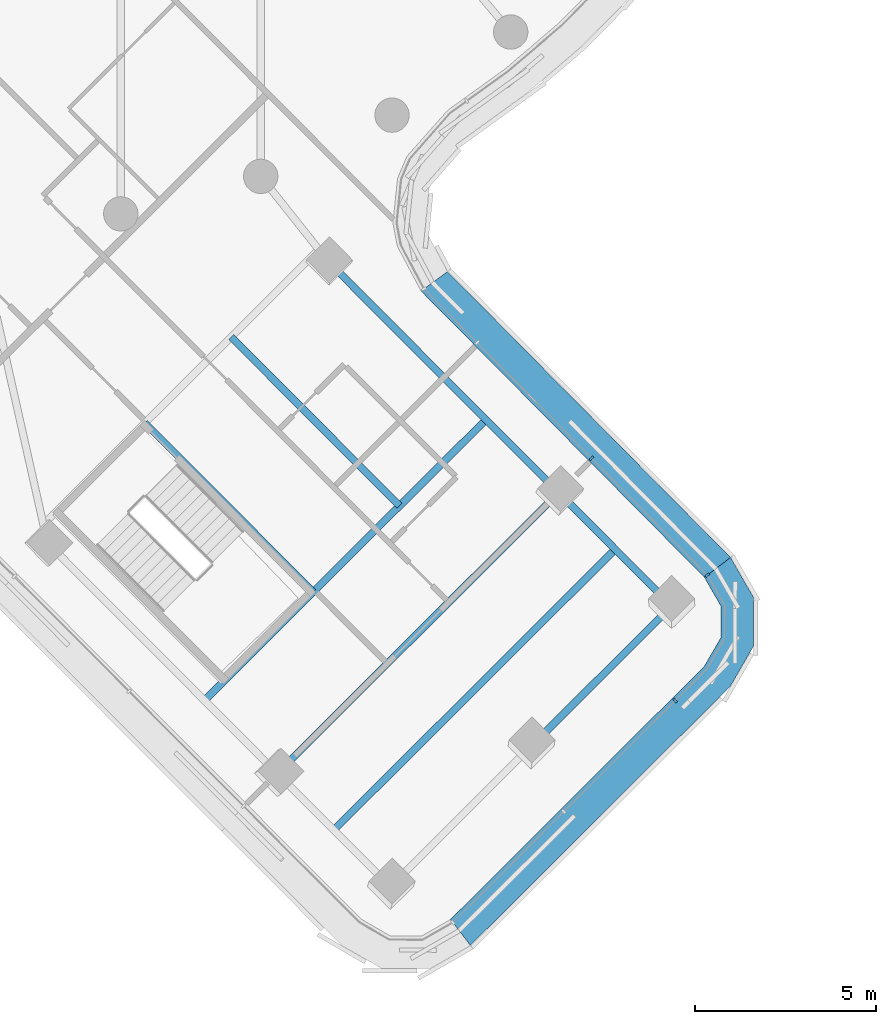
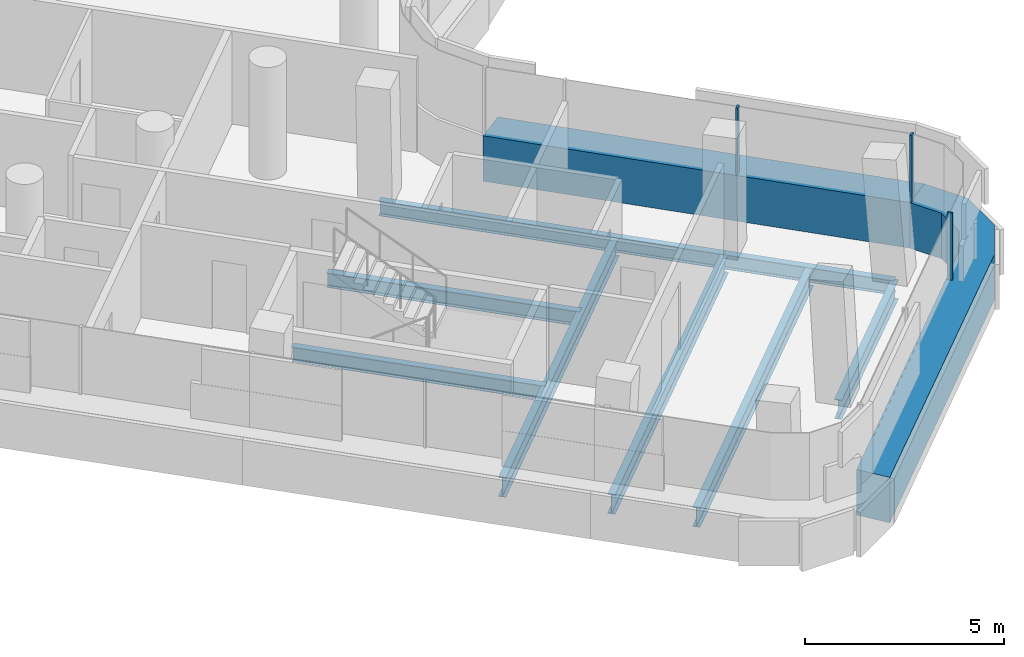
# One storey, part 5 of 31: 8 beams, 5 members, 2 elements without a shape of their own.
"""IFC4 building model written with IfcOpenShell, lengths in metres."""

import ifcopenshell
import ifcopenshell.guid

model = None  # the IFC model being written
_history = None  # IfcOwnerHistory: only IFC2X3 demands one
_inside = {}  # id of a spatial element -> (the spatial element, [elements in it])
_under = {}  # id of a project, library or spatial element -> (it, [spatial elements below it])
_declared = {}  # id of a project -> (the project, [libraries it declares])
_typed = {}  # id of a type object -> (the type object, [elements of that type])
_made_of = {}  # id of a material, layer set ... -> (it, [elements and type objects made of it])


def new_model(schema):
    """Start an empty IFC model of exactly this schema.

    Asked for "IFC4X3", IfcOpenShell would pick the latest addendum, in which some entities
    have other attributes; the version numbers below select the first issue.
    IFC2X3 requires an IfcOwnerHistory on every rooted entity: one is made here for all.
    """
    global model, _history
    if schema == "IFC4X3":
        model = ifcopenshell.file(schema_version=(4, 3, 0, 0))
    else:
        model = ifcopenshell.file(schema=schema)
    _inside.clear()
    _under.clear()
    _declared.clear()
    _typed.clear()
    _made_of.clear()
    _history = None
    if model.schema == "IFC2X3":
        org = make("IfcOrganization", Name="unknown")
        user = make(
            "IfcPersonAndOrganization",
            ThePerson=make("IfcPerson", FamilyName="unknown"),
            TheOrganization=org,
        )
        app = make(
            "IfcApplication",
            ApplicationDeveloper=org,
            Version="unknown",
            ApplicationFullName="unknown",
            ApplicationIdentifier="unknown",
        )
        _history = make(
            "IfcOwnerHistory",
            OwningUser=user,
            OwningApplication=app,
            ChangeAction="ADDED",
            CreationDate=0,
        )
    return model


def make(cls, **values):
    """One entity of the class cls with the attributes given. An attribute that is None is left unset."""
    return model.create_entity(
        cls, **{name: value for name, value in values.items() if value is not None}
    )


def rooted(cls, **values):
    """An entity with a GlobalId (a new one), such as an element, a storey or a relation."""
    return make(cls, GlobalId=ifcopenshell.guid.new(), OwnerHistory=_history, **values)


def si_unit(unit_type, name, prefix=None):
    """IfcSIUnit, for example si_unit("LENGTHUNIT", "METRE", prefix="MILLI")."""
    return make("IfcSIUnit", UnitType=unit_type, Prefix=prefix, Name=name)


def assignment(units):
    """IfcUnitAssignment: the units of a project."""
    return None if units is None else make("IfcUnitAssignment", Units=units)


def point(xyz):
    """IfcCartesianPoint."""
    return None if xyz is None else make("IfcCartesianPoint", Coordinates=xyz)


def direction(xyz):
    """IfcDirection."""
    return None if xyz is None else make("IfcDirection", DirectionRatios=xyz)


def frame(location, z_axis=None, x_axis=None):
    """IfcAxis2Placement3D, a coordinate frame: its origin and axes. An axis left out is left unset."""
    return make(
        "IfcAxis2Placement3D",
        Location=point(location),
        Axis=direction(z_axis),
        RefDirection=direction(x_axis),
    )


def frame_2d(location, x_axis=None):
    """IfcAxis2Placement2D, a coordinate frame in the plane: its origin and x axis."""
    return make(
        "IfcAxis2Placement2D", Location=point(location), RefDirection=direction(x_axis)
    )


def origin():
    """The frame at (0, 0, 0) with its axes left unset."""
    return frame((0.0, 0.0, 0.0))


def origin_2d():
    """The frame at (0, 0) in the plane with its x axis left unset."""
    return frame_2d((0.0, 0.0))


def place(relative_to, where):
    """IfcLocalPlacement: puts the frame where relative to a parent placement (None: the world)."""
    return make(
        "IfcLocalPlacement", PlacementRelTo=relative_to, RelativePlacement=where
    )


def context(
    kind, dimensions, precision=None, world=None, true_north=None, identifier=None
):
    """IfcGeometricRepresentationContext, for example the 3D "Model" context."""
    return make(
        "IfcGeometricRepresentationContext",
        ContextIdentifier=identifier,
        ContextType=kind,
        CoordinateSpaceDimension=dimensions,
        Precision=precision,
        WorldCoordinateSystem=world,
        TrueNorth=true_north,
    )


def subcontext(parent, identifier, kind, view, scale=None):
    """IfcGeometricRepresentationSubContext, for example "Body" below "Model"."""
    return make(
        "IfcGeometricRepresentationSubContext",
        ContextIdentifier=identifier,
        ContextType=kind,
        ParentContext=parent,
        TargetScale=scale,
        TargetView=view,
    )


def project(units=None, contexts=None):
    """IfcProject with its units and contexts."""
    return rooted(
        "IfcProject",
        Name="project",
        RepresentationContexts=contexts,
        UnitsInContext=assignment(units),
    )


def spatial(cls, under=None, at=None, **own):
    """A site, building, storey or space (cls), placed at a placement, below another one or the project."""
    s = rooted(cls, ObjectPlacement=at, **own)
    if under is not None:
        _under.setdefault(under.id(), (under, []))[1].append(s)
    return s


def polyline(points):
    """IfcPolyline through the points."""
    return make("IfcPolyline", Points=[point(p) for p in points])


def profile(cls, at=None, kind="AREA", **sizes):
    """A parametric profile (cls). Its sizes go by their IFC names, for example OverallWidth=200.0."""
    return make(cls, ProfileType=kind, Position=at, **sizes)


def rectangle(**sizes):
    """IfcRectangleProfileDef."""
    return profile("IfcRectangleProfileDef", **sizes)


def i_section(**sizes):
    """IfcIShapeProfileDef."""
    return profile("IfcIShapeProfileDef", **sizes)


def outline(outer, holes=None, kind="AREA"):
    """IfcArbitraryClosedProfileDef: a profile drawn as a closed curve; with holes, ...WithVoids."""
    if holes is None:
        return make("IfcArbitraryClosedProfileDef", ProfileType=kind, OuterCurve=outer)
    return make(
        "IfcArbitraryProfileDefWithVoids",
        ProfileType=kind,
        OuterCurve=outer,
        InnerCurves=holes,
    )


def extrude(swept, where, along, depth):
    """IfcExtrudedAreaSolid: the profile swept, set in the frame where, extruded along a direction by depth."""
    return make(
        "IfcExtrudedAreaSolid",
        SweptArea=swept,
        Position=where,
        ExtrudedDirection=direction(along),
        Depth=depth,
    )


def shape(context_of_items, identifier, shape_type, items):
    """IfcShapeRepresentation: the items that make up one representation, for example the "Body"."""
    return make(
        "IfcShapeRepresentation",
        ContextOfItems=context_of_items,
        RepresentationIdentifier=identifier,
        RepresentationType=shape_type,
        Items=items,
    )


def material(Name=None, Category=None):
    """IfcMaterial."""
    return make("IfcMaterial", Name=Name, Category=Category)


def layer(
    of_material, thickness, ventilated=None, Name=None, Category=None, Priority=None
):
    """IfcMaterialLayer: one layer of a wall or slab, of a material (None: an air gap)."""
    return make(
        "IfcMaterialLayer",
        Material=of_material,
        LayerThickness=thickness,
        IsVentilated=ventilated,
        Name=Name,
        Category=Category,
        Priority=Priority,
    )


def layer_set(layers, Name=None):
    """IfcMaterialLayerSet."""
    return make("IfcMaterialLayerSet", MaterialLayers=layers, LayerSetName=Name)


def material_profile(
    of_material, cross_section, Name=None, Category=None, Priority=None
):
    """IfcMaterialProfile: a cross section and its material."""
    return make(
        "IfcMaterialProfile",
        Name=Name,
        Material=of_material,
        Profile=cross_section,
        Priority=Priority,
        Category=Category,
    )


def profile_set(profiles, Name=None, composite=None):
    """IfcMaterialProfileSet."""
    return make(
        "IfcMaterialProfileSet",
        Name=Name,
        MaterialProfiles=profiles,
        CompositeProfile=composite,
    )


def made_of(thing, what):
    """Note that an element or type object is made of a material, layer set ...; save() writes the relation."""
    if what is not None:
        _made_of.setdefault(what.id(), (what, []))[1].append(thing)
    return thing


def type_object(cls, material=None, **own):
    """A type object (cls), such as IfcWallType, which elements share."""
    return made_of(rooted(cls, **own), material)


def element(
    cls,
    number,
    at=None,
    inside=None,
    cuts=None,
    type_object=None,
    material=None,
    context=None,
    identifier="Body",
    shape_type=None,
    held_by="IfcProductDefinitionShape",
    body=None,
    shapes=None,
    **own,
):
    """One element of the class cls, such as IfcWall. Its Tag is "e" and its number.

    at: its placement. inside: the storey or other place that contains it. cuts: it is an
    opening in that element (IfcRelVoidsElement). A single representation is given by context,
    identifier, shape_type and body (its items); several are given by shapes. held_by: the class
    of the entity that holds the representations. save() writes the other relations.
    """
    e = rooted(cls, Tag="e%d" % number, ObjectPlacement=at, **own)
    if body is not None:
        shapes = [shape(context, identifier, shape_type, body)]
    if shapes is not None:
        e.Representation = make(held_by, Representations=shapes)
    if inside is not None:
        _inside.setdefault(inside.id(), (inside, []))[1].append(e)
    if cuts is not None:
        rooted(
            "IfcRelVoidsElement", RelatingBuildingElement=cuts, RelatedOpeningElement=e
        )
    if type_object is not None:
        _typed.setdefault(type_object.id(), (type_object, []))[1].append(e)
    return made_of(e, material)


def aggregate(whole, parts):
    """IfcRelAggregates: a whole, such as a stair, and the parts it consists of."""
    return rooted("IfcRelAggregates", RelatingObject=whole, RelatedObjects=parts)


def save(model, path):
    """Write the relations noted so far, then the file.

    IfcRelAggregates (storeys below a building ...), IfcRelContainedInSpatialStructure (elements
    in a storey), IfcRelDefinesByType, IfcRelAssociatesMaterial and IfcRelDeclares: one each for
    every whole, place, type object, material and project.
    """
    for whole, parts in _under.values():
        aggregate(whole, parts)
    for where, things in _inside.values():
        rooted(
            "IfcRelContainedInSpatialStructure",
            RelatedElements=things,
            RelatingStructure=where,
        )
    for kind, things in _typed.values():
        rooted("IfcRelDefinesByType", RelatedObjects=things, RelatingType=kind)
    for what, things in _made_of.values():
        rooted("IfcRelAssociatesMaterial", RelatedObjects=things, RelatingMaterial=what)
    for by, libraries in _declared.values():
        rooted("IfcRelDeclares", RelatingContext=by, RelatedDefinitions=libraries)
    model.write(path)


model = new_model("IFC4")

# Units and contexts
model_context = context("Model", 3, precision=1e-05, world=origin(), true_north=direction((0.0, 1.0)))
body_context = subcontext(model_context, "Body", "Model", "MODEL_VIEW")
ifc_project = project(units=[si_unit("LENGTHUNIT", "METRE"), si_unit("AREAUNIT", "SQUARE_METRE"), si_unit("VOLUMEUNIT", "CUBIC_METRE"), si_unit("PLANEANGLEUNIT", "RADIAN"), si_unit("MASSUNIT", "GRAM", prefix="KILO")], contexts=[model_context])

# Site, building, storey
site_placement = place(None, origin())
site = spatial("IfcSite", under=ifc_project, at=site_placement, CompositionType="ELEMENT")
building_placement = place(site_placement, origin())
building = spatial("IfcBuilding", under=site, at=building_placement, Name="Tamarind Cross Interchange Tower", CompositionType="ELEMENT")
storey_placement = place(building_placement, frame((0.0, 0.0, 196.89990234375)))
storey = spatial("IfcBuildingStorey", under=building, at=storey_placement, Name="L49", CompositionType="ELEMENT", Elevation=196.89990234375)

# Beams
ifc_material_1 = material(Name="Steel Q355B", Category="steel")
ifc_material_profile_1 = material_profile(ifc_material_1, i_section(OverallWidth=0.198974609375, OverallDepth=0.446044921875, WebThickness=0.008056640625, FlangeThickness=0.011962890625, FilletRadius=0.012939453125, at=origin_2d()), Name="HN 446x199x8x12")
ifc_profile_set_1 = profile_set([ifc_material_profile_1], Name="Steel Q355B")
beam_type_1 = type_object("IfcBeamType", Name="Composite beam HN 446x199x8x12 Q355B", PredefinedType="BEAM", material=ifc_profile_set_1)
beam_1_placement = place(storey_placement, frame((19.24072265625, -33.501953125, -0.36279296875), z_axis=(-0.706197142951, 0.708015250746, 0.0), x_axis=(-0.708015250746, -0.706197142951, 0.0)))
element("IfcBeam", 1, at=beam_1_placement, inside=storey, type_object=beam_type_1, Name="Beam S-edgeep2", PredefinedType="BEAM", context=body_context, shape_type="SweptSolid", body=[
    extrude(i_section(OverallWidth=0.198974609375, OverallDepth=0.446044921875, WebThickness=0.008056640625, FlangeThickness=0.011962890625, FilletRadius=0.012939453125, at=origin_2d()), origin(), (0.0, 0.0, 1.0), 4.431396484375),
])
beam_2_placement = place(storey_placement, frame((16.111328125, -30.364501953125, -0.36279296875), z_axis=(-0.706197442409, 0.708014952056, 0.0), x_axis=(-0.708014952056, -0.706197442409, 0.0)))
element("IfcBeam", 2, at=beam_2_placement, inside=storey, type_object=beam_type_1, Name="Beam S-edgeep3", PredefinedType="BEAM", context=body_context, shape_type="SweptSolid", body=[
    extrude(i_section(OverallWidth=0.198974609375, OverallDepth=0.446044921875, WebThickness=0.008056640625, FlangeThickness=0.011962890625, FilletRadius=0.012939453125, at=origin_2d()), origin(), (0.0, 0.0, 1.0), 9.0),
])
beam_3_placement = place(storey_placement, frame((4.65869140625, -28.440673828125, -0.36279296875), z_axis=(0.706199914827, -0.708012485977, 0.0), x_axis=(0.708012485977, 0.706199914827, 0.0)))
element("IfcBeam", 3, at=beam_3_placement, inside=storey, type_object=beam_type_1, Name="Beam S-tr1", PredefinedType="BEAM", context=body_context, shape_type="SweptSolid", body=[
    extrude(i_section(OverallWidth=0.198974609375, OverallDepth=0.446044921875, WebThickness=0.008056640625, FlangeThickness=0.011962890625, FilletRadius=0.012939453125, at=origin_2d()), origin(), (0.0, 0.0, 1.0), 6.599853515625),
])
beam_4_placement = place(storey_placement, frame((7.048095703125, -26.05712890625, -0.36279296875), z_axis=(0.706181419507, -0.708030933465, 0.0), x_axis=(0.708030933465, 0.706181419507, 0.0)))
element("IfcBeam", 4, at=beam_4_placement, inside=storey, type_object=beam_type_1, Name="Beam S-stripp", PredefinedType="BEAM", context=body_context, shape_type="SweptSolid", body=[
    extrude(i_section(OverallWidth=0.198974609375, OverallDepth=0.446044921875, WebThickness=0.008056640625, FlangeThickness=0.011962890625, FilletRadius=0.012939453125, at=origin_2d()), origin(), (0.0, 0.0, 1.0), 6.60009765625),
])
ifc_material_profile_2 = material_profile(ifc_material_1, i_section(OverallWidth=0.198974609375, OverallDepth=0.595947265625, WebThickness=0.010009765625, FlangeThickness=0.014892578125, FilletRadius=0.012939453125, at=origin_2d()), Name="HN 596x199x10x15")
ifc_profile_set_2 = profile_set([ifc_material_profile_2], Name="Steel Q355B")
beam_type_2 = type_object("IfcBeamType", Name="Composite beam HN 596x199x10x15 Q355B", PredefinedType="BEAM", material=ifc_profile_set_2)
beam_5_placement = place(storey_placement, frame((15.3466796875, -37.385986328125, -0.43798828125), z_axis=(0.708016185099, 0.706196206191, 0.0), x_axis=(-0.706196206191, 0.708016185099, 0.0)))
element("IfcBeam", 5, at=beam_5_placement, inside=storey, type_object=beam_type_2, Name="Beam S-tip1", PredefinedType="BEAM", context=body_context, shape_type="SweptSolid", body=[
    extrude(i_section(OverallWidth=0.198974609375, OverallDepth=0.595947265625, WebThickness=0.010009765625, FlangeThickness=0.014892578125, FilletRadius=0.012939453125, at=origin_2d()), origin(), (0.0, 0.0, 1.0), 5.5),
])
for number, where, z_axis, x_axis, name in (
    (6, (6.310546875, -36.114990234375, -0.43798828125), (0.70800508779, 0.706207331924, 0.0), (-0.706207331924, 0.70800508779, 0.0), "Beam S-x364"),
    (7, (8.3232421875, -38.1328125, -0.43798828125), (0.70800508779, 0.706207331924, 0.0), (-0.706207331924, 0.70800508779, 0.0), "Beam S-x393"),
    (8, (9.8876953125, -39.701416015625, -0.43798828125), (0.708027253707, 0.706185108883, 0.0), (-0.706185108883, 0.708027253707, 0.0), "Beam S-x415"),
):
    element("IfcBeam", number, at=place(storey_placement, frame(where, z_axis=z_axis, x_axis=x_axis)), inside=storey, type_object=beam_type_2, Name=name, PredefinedType="BEAM", context=body_context, shape_type="SweptSolid", body=[
        extrude(i_section(OverallWidth=0.198974609375, OverallDepth=0.595947265625, WebThickness=0.010009765625, FlangeThickness=0.014892578125, FilletRadius=0.012939453125, at=origin_2d()), origin(), (0.0, 0.0, 1.0), 11.0),
    ])

# Curtain wall, member
ifc_material_2 = material(Name="Aluminium 6063-T6", Category="aluminium")
ifc_layer = layer(ifc_material_2, 0.139892578125)
ifc_layer_set = layer_set([ifc_layer], Name="Aluminium 6063-T6")
curtain_wall_type = type_object("IfcCurtainWallType", Name="Hotel curtain wall, 4.5 m bays", PredefinedType="NOTDEFINED", material=ifc_layer_set)
curtain_wall_1_placement = place(storey_placement, origin())
curtain_wall_1 = element("IfcCurtainWall", 9, at=curtain_wall_1_placement, inside=storey, type_object=curtain_wall_type, Name="CWS-L49-00", PredefinedType="NOTDEFINED")
ifc_material_3 = material(Name="Aluminium and insulated spandrel panel", Category="aluminium")
member_type_1 = type_object("IfcMemberType", Name="Floor-edge blade transom", PredefinedType="USERDEFINED", material=ifc_material_3)
member_1_placement = place(storey_placement, origin())
member_1 = element("IfcMember", 10, at=member_1_placement, type_object=member_type_1, Name="CWT-L49-00", ObjectType="TRANSOM", PredefinedType="USERDEFINED", context=body_context, shape_type="SweptSolid", body=[
    extrude(outline(polyline([(13.117919921875, -42.176025390625), (20.14208984375, -35.169677734375), (20.600830078125, -34.377685546875), (20.60205078125, -33.503173828125), (20.14501953125, -32.709228515625), (20.866943359375, -32.1591796875), (21.50244140625, -33.26318359375), (21.50048828125, -34.619873046875), (20.861572265625, -35.723388671875), (13.669677734375, -42.896728515625), (13.117919921875, -42.176025390625)])), origin(), (0.0, 0.0, 1.0), 1.400146484375),
])

curtain_wall_2_placement = place(storey_placement, origin())
curtain_wall_2 = element("IfcCurtainWall", 11, at=curtain_wall_2_placement, inside=storey, type_object=curtain_wall_type, Name="CWS-L49-01", PredefinedType="NOTDEFINED")
member_2_placement = place(storey_placement, origin())
member_2 = element("IfcMember", 12, at=member_2_placement, type_object=member_type_1, Name="CWT-L49-01", ObjectType="TRANSOM", PredefinedType="USERDEFINED", context=body_context, shape_type="SweptSolid", body=[
    extrude(outline(polyline([(20.14501953125, -32.709228515625), (12.302734375, -24.785400390625), (13.035400390625, -24.246337890625), (20.866943359375, -32.1591796875), (20.14501953125, -32.709228515625)])), origin(), (0.0, 0.0, 1.0), 1.400146484375),
])

# Member
ifc_material_profile_3 = material_profile(ifc_material_2, rectangle(XDim=0.06005859375, YDim=0.139892578125, at=origin_2d()), Name="Mullion CW2")
ifc_profile_set_3 = profile_set([ifc_material_profile_3], Name="Aluminium 6063-T6")
member_type_2 = type_object("IfcMemberType", Name="Mullion CW2", PredefinedType="MULLION", material=ifc_profile_set_3)
member_3_placement = place(storey_placement, frame((19.332763671875, -36.118408203125, 1.400146484375), z_axis=(0.0, 0.0, 1.0), x_axis=(0.708014520272, 0.706197875304, 0.0)))
member_3 = element("IfcMember", 13, at=member_3_placement, type_object=member_type_2, Name="CWM-L49-00-02", PredefinedType="MULLION", context=body_context, shape_type="SweptSolid", body=[
    extrude(rectangle(XDim=0.06005859375, YDim=0.139892578125, at=origin_2d()), origin(), (0.0, 0.0, 1.0), 2.06005859375),
])

aggregate(curtain_wall_1, [member_3, member_1])

member_4_placement = place(storey_placement, frame((20.225341796875, -32.648193359375, 1.400146484375), z_axis=(0.0, 0.0, 1.0), x_axis=(-0.606199211112, 0.795312841872, 0.0)))
member_4 = element("IfcMember", 14, at=member_4_placement, type_object=member_type_2, Name="CWM-L49-01-00", PredefinedType="MULLION", context=body_context, shape_type="SweptSolid", body=[
    extrude(rectangle(XDim=0.06005859375, YDim=0.139892578125, at=origin_2d()), origin(), (0.0, 0.0, 1.0), 2.06005859375),
])

member_5_placement = place(storey_placement, frame((17.0244140625, -29.4140625, 1.400146484375), z_axis=(0.0, 0.0, 1.0), x_axis=(-0.703443968525, 0.710750718006, 0.0)))
member_5 = element("IfcMember", 15, at=member_5_placement, type_object=member_type_2, Name="CWM-L49-01-01", PredefinedType="MULLION", context=body_context, shape_type="SweptSolid", body=[
    extrude(rectangle(XDim=0.06005859375, YDim=0.139892578125, at=origin_2d()), origin(), (0.0, 0.0, 1.0), 2.06005859375),
])

aggregate(curtain_wall_2, [member_4, member_5, member_2])

save(model, "model.ifc")
